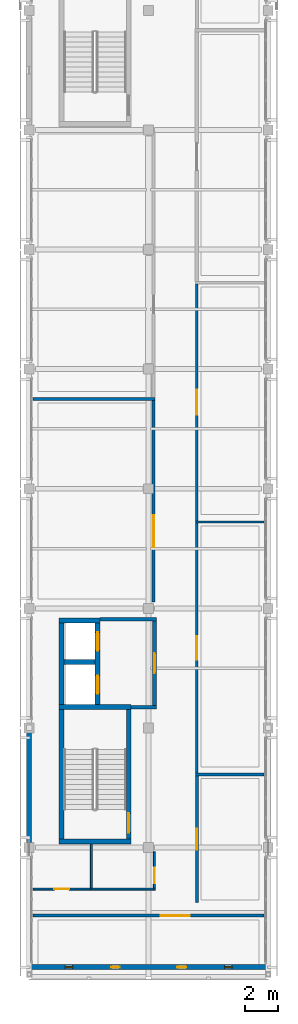
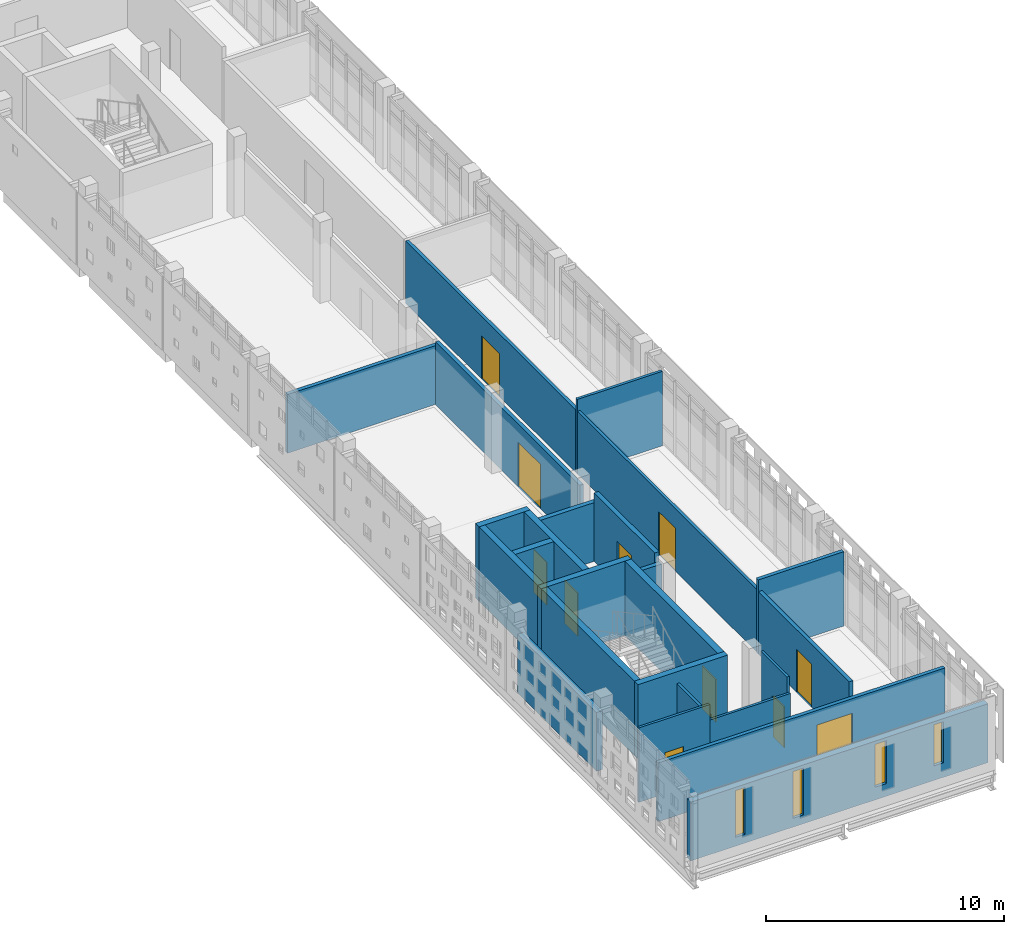
# One storey, part 15 of 21: 25 walls, 11 doors, 4 windows, 15 openings.
"""IFC4 building model written with IfcOpenShell, lengths in metres."""

from ifc_helpers import new_model, si_unit, direction, frame, frame_2d, origin, place, context, subcontext, project, spatial, rectangle, extrude, material, layer, layer_set, type_object, element, fill, save


model = new_model("IFC4")

# Units and contexts
model_context = context("Model", 3, precision=1e-05, world=origin(), true_north=direction((0.0, 1.0)))
body_context = subcontext(model_context, "Body", "Model", "MODEL_VIEW")
ifc_project = project(units=[si_unit("LENGTHUNIT", "METRE"), si_unit("AREAUNIT", "SQUARE_METRE"), si_unit("VOLUMEUNIT", "CUBIC_METRE"), si_unit("PLANEANGLEUNIT", "RADIAN"), si_unit("MASSUNIT", "GRAM", prefix="KILO")], contexts=[model_context])

# Site, building, storey
site_placement = place(None, origin())
site = spatial("IfcSite", under=ifc_project, at=site_placement, CompositionType="ELEMENT")
building_placement = place(site_placement, origin())
building = spatial("IfcBuilding", under=site, at=building_placement, Name="Valkovuoma Quantum and Materials Research Institute", CompositionType="ELEMENT")
storey_placement = place(building_placement, frame((0.0, 0.0, 29.760009765625)))
storey = spatial("IfcBuildingStorey", under=building, at=storey_placement, Name="L07", CompositionType="ELEMENT", Elevation=29.760009765625)

# Walls
ifc_material_1 = material(Name="Concrete C40/50", Category="concrete")
ifc_layer_1 = layer(ifc_material_1, 0.300048828125)
ifc_layer_set_1 = layer_set([ifc_layer_1], Name="Concrete C40/50")
wall_type_1 = type_object("IfcWallType", Name="Wall-W-COR300", PredefinedType="SHEAR", material=ifc_layer_set_1)
for number, where, z_axis, x_axis, name in (
    (1, (1.800048828125, 29.14990234375, 0.0), (0.0, 0.0, 1.0), (1.0, 0.0, 0.0), "L07 core wall 0089"),
    (2, (1.800048828125, 37.25, 0.0), (0.0, 0.0, 1.0), (1.0, 0.0, 0.0), "L07 core wall 0090"),
):
    element("IfcWall", number, at=place(storey_placement, frame(where, z_axis=z_axis, x_axis=x_axis)), inside=storey, type_object=wall_type_1, Name=name, PredefinedType="SHEAR", context=body_context, shape_type="SweptSolid", body=[
        extrude(rectangle(XDim=4.349853515625, YDim=0.300048828125, at=frame_2d((2.1748046875, 0.0))), origin(), (0.0, 0.0, 1.0), 3.81005859375),
    ])
wall_1_placement = place(storey_placement, frame((1.949951171875, 29.300048828125, 0.0), z_axis=(0.0, 0.0, 1.0), x_axis=(0.0, 1.0, 0.0)))
element("IfcWall", 3, at=wall_1_placement, inside=storey, type_object=wall_type_1, Name="L07 core wall 0091", PredefinedType="SHEAR", context=body_context, shape_type="SweptSolid", body=[
    extrude(rectangle(XDim=7.800048828125, YDim=0.300048828125, at=frame_2d((3.89990234375, 0.0))), origin(), (0.0, 0.0, 1.0), 3.81005859375),
])

# Wall, opening, door
wall_2_placement = place(storey_placement, frame((6.0, 29.300048828125, 0.0), z_axis=(0.0, 0.0, 1.0), x_axis=(0.0, 1.0, 0.0)))
wall_2 = element("IfcWall", 4, at=wall_2_placement, inside=storey, type_object=wall_type_1, Name="L07 core wall 0092", PredefinedType="SHEAR", context=body_context, shape_type="SweptSolid", body=[
    extrude(rectangle(XDim=7.800048828125, YDim=0.300048828125, at=frame_2d((3.89990234375, 0.0))), origin(), (0.0, 0.0, 1.0), 3.81005859375),
])
opening_1_placement = place(wall_2_placement, frame((0.39990234375, 0.0, 0.0)))
opening_1 = element("IfcOpeningElement", 5, at=opening_1_placement, cuts=wall_2, Name="Opening SD-017", PredefinedType="OPENING", context=body_context, shape_type="SweptSolid", body=[
    extrude(rectangle(XDim=1.14990234375, YDim=2.199951171875, at=frame_2d((0.574951171875, 1.10009765625))), frame((0.0, 0.16015625, 0.0), z_axis=(0.0, -1.0, 0.0), x_axis=(1.0, 0.0, 0.0)), (0.0, 0.0, 1.0), 0.320068359375),
])
ifc_material_2 = material(Name="Powder-coated steel and acoustic timber door assembly", Category="steel")
door_type_1 = type_object("IfcDoorType", Name="Door-DR-ST60", OperationType="NOTDEFINED", PredefinedType="DOOR", material=ifc_material_2)
door_1_placement = place(opening_1_placement, origin())
door_1 = element("IfcDoor", 6, at=door_1_placement, inside=storey, type_object=door_type_1, Name="L07 ST-1 fire door", OperationType="SINGLE_SWING_RIGHT", OverallHeight=2.199951171875, OverallWidth=1.14990234375, PredefinedType="DOOR", context=body_context, shape_type="SweptSolid", body=[
    extrude(rectangle(XDim=1.14990234375, YDim=2.199951171875, at=frame_2d((0.574951171875, 1.10009765625))), frame((0.0, 0.02490234375, 0.0), z_axis=(0.0, -1.0, 0.0), x_axis=(1.0, 0.0, 0.0)), (0.0, 0.0, 1.0), 0.050048828125),
])
fill(opening_1, door_1)

# Walls
wall_3_placement = place(storey_placement, frame((1.800048828125, 42.47998046875, 0.0), z_axis=(0.0, 0.0, 1.0), x_axis=(1.0, 0.0, 0.0)))
element("IfcWall", 7, at=wall_3_placement, inside=storey, type_object=wall_type_1, Name="L07 core wall 0093", PredefinedType="SHEAR", context=body_context, shape_type="SweptSolid", body=[
    extrude(rectangle(XDim=2.47998046875, YDim=0.300048828125, at=frame_2d((1.239990234375, 0.0))), origin(), (0.0, 0.0, 1.0), 3.81005859375),
])
wall_4_placement = place(storey_placement, frame((2.10009765625, 39.97509765625, 0.0), z_axis=(0.0, 0.0, 1.0), x_axis=(1.0, 0.0, 0.0)))
element("IfcWall", 8, at=wall_4_placement, inside=storey, type_object=wall_type_1, Name="L07 core wall 0094", PredefinedType="SHEAR", context=body_context, shape_type="SweptSolid", body=[
    extrude(rectangle(XDim=1.8798828125, YDim=0.300048828125, at=frame_2d((0.93994140625, 0.0))), origin(), (0.0, 0.0, 1.0), 3.81005859375),
])
wall_5_placement = place(storey_placement, frame((1.949951171875, 37.39990234375, 0.0), z_axis=(0.0, 0.0, 1.0), x_axis=(0.0, 1.0, 0.0)))
element("IfcWall", 9, at=wall_5_placement, inside=storey, type_object=wall_type_1, Name="L07 core wall 0095", PredefinedType="SHEAR", context=body_context, shape_type="SweptSolid", body=[
    extrude(rectangle(XDim=4.93017578125, YDim=0.300048828125, at=frame_2d((2.465087890625, 0.0))), origin(), (0.0, 0.0, 1.0), 3.81005859375),
])

# Wall, openings, doors
wall_6_placement = place(storey_placement, frame((4.1298828125, 37.39990234375, 0.0), z_axis=(0.0, 0.0, 1.0), x_axis=(0.0, 1.0, 0.0)))
wall_6 = element("IfcWall", 10, at=wall_6_placement, inside=storey, type_object=wall_type_1, Name="L07 core wall 0096", PredefinedType="SHEAR", context=body_context, shape_type="SweptSolid", body=[
    extrude(rectangle(XDim=4.93017578125, YDim=0.300048828125, at=frame_2d((2.465087890625, 0.0))), origin(), (0.0, 0.0, 1.0), 3.81005859375),
])
opening_2_placement = place(wall_6_placement, frame((0.64990234375, 0.0, 0.0)))
opening_2 = element("IfcOpeningElement", 11, at=opening_2_placement, cuts=wall_6, Name="Opening LD-017", PredefinedType="OPENING", context=body_context, shape_type="SweptSolid", body=[
    extrude(rectangle(XDim=1.10009765625, YDim=2.199951171875, at=frame_2d((0.550048828125, 1.10009765625))), frame((0.0, 0.16015625, 0.0), z_axis=(0.0, -1.0, 0.0), x_axis=(1.0, 0.0, 0.0)), (0.0, 0.0, 1.0), 0.320068359375),
])
opening_3_placement = place(wall_6_placement, frame((3.25, 0.0, 0.0)))
opening_3 = element("IfcOpeningElement", 12, at=opening_3_placement, cuts=wall_6, Name="Opening LD-018", PredefinedType="OPENING", context=body_context, shape_type="SweptSolid", body=[
    extrude(rectangle(XDim=1.10009765625, YDim=2.199951171875, at=frame_2d((0.550048828125, 1.10009765625))), frame((0.0, 0.16015625, 0.0), z_axis=(0.0, -1.0, 0.0), x_axis=(1.0, 0.0, 0.0)), (0.0, 0.0, 1.0), 0.320068359375),
])
ifc_material_3 = material(Name="Powder-coated steel and acoustic timber door assembly", Category="steel")
door_type_2 = type_object("IfcDoorType", Name="Door-DR-LD01", OperationType="NOTDEFINED", PredefinedType="DOOR", material=ifc_material_3)
door_2_placement = place(opening_2_placement, origin())
door_2 = element("IfcDoor", 13, at=door_2_placement, inside=storey, type_object=door_type_2, Name="L07 LIFT-FF1 sliding landing door", OperationType="SLIDING_TO_LEFT", OverallHeight=2.199951171875, OverallWidth=1.10009765625, PredefinedType="DOOR", context=body_context, shape_type="SweptSolid", body=[
    extrude(rectangle(XDim=1.10009765625, YDim=2.199951171875, at=frame_2d((0.550048828125, 1.10009765625))), frame((0.0, 0.02490234375, 0.0), z_axis=(0.0, -1.0, 0.0), x_axis=(1.0, 0.0, 0.0)), (0.0, 0.0, 1.0), 0.050048828125),
])
fill(opening_2, door_2)
door_3_placement = place(opening_3_placement, origin())
door_3 = element("IfcDoor", 14, at=door_3_placement, inside=storey, type_object=door_type_2, Name="L07 LIFT-P1 sliding landing door", OperationType="SLIDING_TO_LEFT", OverallHeight=2.199951171875, OverallWidth=1.10009765625, PredefinedType="DOOR", context=body_context, shape_type="SweptSolid", body=[
    extrude(rectangle(XDim=1.10009765625, YDim=2.199951171875, at=frame_2d((0.550048828125, 1.10009765625))), frame((0.0, 0.02490234375, 0.0), z_axis=(0.0, -1.0, 0.0), x_axis=(1.0, 0.0, 0.0)), (0.0, 0.0, 1.0), 0.050048828125),
])
fill(opening_3, door_3)

# Wall
ifc_material_4 = material(Name="Precast concrete C40/50", Category="concrete")
ifc_layer_2 = layer(ifc_material_4, 0.300048828125)
ifc_layer_set_2 = layer_set([ifc_layer_2], Name="Precast concrete C40/50")
wall_type_2 = type_object("IfcWallType", Name="Wall-W-EXT300", PredefinedType="SOLIDWALL", material=ifc_layer_set_2)
wall_7_placement = place(storey_placement, frame((0.0, 29.090087890625, 0.0), z_axis=(0.0, 0.0, 1.0), x_axis=(0.0, 1.0, 0.0)))
element("IfcWall", 15, at=wall_7_placement, inside=storey, type_object=wall_type_2, Name="L07 exterior wall 0059", PredefinedType="SOLIDWALL", context=body_context, shape_type="SweptSolid", body=[
    extrude(rectangle(XDim=6.619873046875, YDim=0.300048828125, at=frame_2d((3.31005859375, 0.0))), origin(), (0.0, 0.0, 1.0), 3.010009765625),
])

# Wall, openings, windows
ifc_material_5 = material(Name="Precast concrete C40/50", Category="concrete")
ifc_layer_3 = layer(ifc_material_5, 0.320068359375)
ifc_layer_set_3 = layer_set([ifc_layer_3], Name="Precast concrete C40/50")
wall_type_3 = type_object("IfcWallType", Name="Wall-W-EXT320", PredefinedType="SOLIDWALL", material=ifc_layer_set_3)
wall_8_placement = place(storey_placement, frame((0.0, 21.60009765625, 0.0), z_axis=(0.0, 0.0, 1.0), x_axis=(1.0, 0.0, 0.0)))
wall_8 = element("IfcWall", 16, at=wall_8_placement, inside=storey, type_object=wall_type_3, Name="L07 exterior wall 0057", PredefinedType="SOLIDWALL", context=body_context, shape_type="SweptSolid", body=[
    extrude(rectangle(XDim=14.39990234375, YDim=0.320068359375, at=frame_2d((7.199951171875, 0.0))), origin(), (0.0, 0.0, 1.0), 3.010009765625),
])
opening_4_placement = place(wall_8_placement, frame((2.175048828125, 0.0, 0.449951171875)))
opening_4 = element("IfcOpeningElement", 17, at=opening_4_placement, cuts=wall_8, Name="Opening WN-SL01", PredefinedType="OPENING", context=body_context, shape_type="SweptSolid", body=[
    extrude(rectangle(XDim=0.449951171875, YDim=2.39990234375, at=frame_2d((0.22509765625, 1.199951171875))), frame((0.0, 0.169921875, 0.0), z_axis=(0.0, -1.0, 0.0), x_axis=(1.0, 0.0, 0.0)), (0.0, 0.0, 1.0), 0.340087890625),
])
opening_5_placement = place(wall_8_placement, frame((4.949951171875, 0.0, 0.449951171875)))
opening_5 = element("IfcOpeningElement", 18, at=opening_5_placement, cuts=wall_8, Name="Opening WN-SL02", PredefinedType="OPENING", context=body_context, shape_type="SweptSolid", body=[
    extrude(rectangle(XDim=0.5, YDim=2.39990234375, at=frame_2d((0.25, 1.199951171875))), frame((0.0, 0.169921875, 0.0), z_axis=(0.0, -1.0, 0.0), x_axis=(1.0, 0.0, 0.0)), (0.0, 0.0, 1.0), 0.340087890625),
])
opening_6_placement = place(wall_8_placement, frame((8.925048828125, 0.0, 0.64990234375)))
opening_6 = element("IfcOpeningElement", 19, at=opening_6_placement, cuts=wall_8, Name="Opening WN-SL03", PredefinedType="OPENING", context=body_context, shape_type="SweptSolid", body=[
    extrude(rectangle(XDim=0.550048828125, YDim=2.199951171875, at=frame_2d((0.27490234375, 1.10009765625))), frame((0.0, 0.169921875, 0.0), z_axis=(0.0, -1.0, 0.0), x_axis=(1.0, 0.0, 0.0)), (0.0, 0.0, 1.0), 0.340087890625),
])
opening_7_placement = place(wall_8_placement, frame((11.77490234375, 0.0, 0.75)))
opening_7 = element("IfcOpeningElement", 20, at=opening_7_placement, cuts=wall_8, Name="Opening WN-SL04", PredefinedType="OPENING", context=body_context, shape_type="SweptSolid", body=[
    extrude(rectangle(XDim=0.449951171875, YDim=2.10009765625, at=frame_2d((0.22509765625, 1.050048828125))), frame((0.0, 0.169921875, 0.0), z_axis=(0.0, -1.0, 0.0), x_axis=(1.0, 0.0, 0.0)), (0.0, 0.0, 1.0), 0.340087890625),
])
ifc_material_6 = material(Name="Triple low-E argon glazing in thermally broken aluminium frame", Category="aluminium")
window_type_1 = type_object("IfcWindowType", Name="Win-WN-SL01", PartitioningType="SINGLE_PANEL", PredefinedType="WINDOW", material=ifc_material_6)
window_1_placement = place(opening_4_placement, origin())
window_1 = element("IfcWindow", 21, at=window_1_placement, inside=storey, type_object=window_type_1, Name="L07 window 0051", OverallHeight=2.39990234375, OverallWidth=0.449951171875, PartitioningType="SINGLE_PANEL", PredefinedType="WINDOW", context=body_context, shape_type="SweptSolid", body=[
    extrude(rectangle(XDim=0.449951171875, YDim=2.39990234375, at=frame_2d((0.22509765625, 1.199951171875))), frame((0.0, 0.030029296875, 0.0), z_axis=(0.0, -1.0, 0.0), x_axis=(1.0, 0.0, 0.0)), (0.0, 0.0, 1.0), 0.06005859375),
])
fill(opening_4, window_1)
ifc_material_7 = material(Name="Triple low-E argon glazing in thermally broken aluminium frame", Category="aluminium")
window_type_2 = type_object("IfcWindowType", Name="Win-WN-SL02", PartitioningType="SINGLE_PANEL", PredefinedType="WINDOW", material=ifc_material_7)
window_2_placement = place(opening_5_placement, origin())
window_2 = element("IfcWindow", 22, at=window_2_placement, inside=storey, type_object=window_type_2, Name="L07 window 0052", OverallHeight=2.39990234375, OverallWidth=0.5, PartitioningType="SINGLE_PANEL", PredefinedType="WINDOW", context=body_context, shape_type="SweptSolid", body=[
    extrude(rectangle(XDim=0.5, YDim=2.39990234375, at=frame_2d((0.25, 1.199951171875))), frame((0.0, 0.030029296875, 0.0), z_axis=(0.0, -1.0, 0.0), x_axis=(1.0, 0.0, 0.0)), (0.0, 0.0, 1.0), 0.06005859375),
])
fill(opening_5, window_2)
ifc_material_8 = material(Name="Triple low-E argon glazing in thermally broken aluminium frame", Category="aluminium")
window_type_3 = type_object("IfcWindowType", Name="Win-WN-SL03", PartitioningType="SINGLE_PANEL", PredefinedType="WINDOW", material=ifc_material_8)
window_3_placement = place(opening_6_placement, origin())
window_3 = element("IfcWindow", 23, at=window_3_placement, inside=storey, type_object=window_type_3, Name="L07 window 0053", OverallHeight=2.199951171875, OverallWidth=0.550048828125, PartitioningType="SINGLE_PANEL", PredefinedType="WINDOW", context=body_context, shape_type="SweptSolid", body=[
    extrude(rectangle(XDim=0.550048828125, YDim=2.199951171875, at=frame_2d((0.27490234375, 1.10009765625))), frame((0.0, 0.030029296875, 0.0), z_axis=(0.0, -1.0, 0.0), x_axis=(1.0, 0.0, 0.0)), (0.0, 0.0, 1.0), 0.06005859375),
])
fill(opening_6, window_3)
ifc_material_9 = material(Name="Triple low-E argon glazing in thermally broken aluminium frame", Category="aluminium")
window_type_4 = type_object("IfcWindowType", Name="Win-WN-SL04", PartitioningType="SINGLE_PANEL", PredefinedType="WINDOW", material=ifc_material_9)
window_4_placement = place(opening_7_placement, origin())
window_4 = element("IfcWindow", 24, at=window_4_placement, inside=storey, type_object=window_type_4, Name="L07 window 0054", OverallHeight=2.10009765625, OverallWidth=0.449951171875, PartitioningType="SINGLE_PANEL", PredefinedType="WINDOW", context=body_context, shape_type="SweptSolid", body=[
    extrude(rectangle(XDim=0.449951171875, YDim=2.10009765625, at=frame_2d((0.22509765625, 1.050048828125))), frame((0.0, 0.030029296875, 0.0), z_axis=(0.0, -1.0, 0.0), x_axis=(1.0, 0.0, 0.0)), (0.0, 0.0, 1.0), 0.06005859375),
])
fill(opening_7, window_4)

# Walls
ifc_material_10 = material(Name="Concrete C40/50", Category="concrete")
ifc_layer_4 = layer(ifc_material_10, 0.219970703125)
ifc_layer_set_4 = layer_set([ifc_layer_4], Name="Concrete C40/50")
wall_type_4 = type_object("IfcWallType", Name="Wall-W-FFL220", PredefinedType="SOLIDWALL", material=ifc_layer_set_4)
wall_9_placement = place(storey_placement, frame((6.14990234375, 37.25, 0.0), z_axis=(0.0, 0.0, 1.0), x_axis=(1.0, 0.0, 0.0)))
element("IfcWall", 25, at=wall_9_placement, inside=storey, type_object=wall_type_4, Name="L07 core wall 0097", PredefinedType="SOLIDWALL", context=body_context, shape_type="SweptSolid", body=[
    extrude(rectangle(XDim=1.510009765625, YDim=0.219970703125, at=frame_2d((0.7548828125, 0.0))), origin(), (0.0, 0.0, 1.0), 3.010009765625),
])
wall_10_placement = place(storey_placement, frame((4.280029296875, 42.550048828125, 0.0), z_axis=(0.0, 0.0, 1.0), x_axis=(1.0, 0.0, 0.0)))
element("IfcWall", 26, at=wall_10_placement, inside=storey, type_object=wall_type_4, Name="L07 core wall 0098", PredefinedType="SOLIDWALL", context=body_context, shape_type="SweptSolid", body=[
    extrude(rectangle(XDim=3.3798828125, YDim=0.219970703125, at=frame_2d((1.68994140625, 0.0))), origin(), (0.0, 0.0, 1.0), 3.010009765625),
])

# Wall, opening, door
wall_11_placement = place(storey_placement, frame((7.550048828125, 37.360107421875, 0.0), z_axis=(0.0, 0.0, 1.0), x_axis=(0.0, 1.0, 0.0)))
wall_11 = element("IfcWall", 27, at=wall_11_placement, inside=storey, type_object=wall_type_4, Name="L07 core wall 0099", PredefinedType="SOLIDWALL", context=body_context, shape_type="SweptSolid", body=[
    extrude(rectangle(XDim=5.079833984375, YDim=0.219970703125, at=frame_2d((2.5400390625, 0.0))), origin(), (0.0, 0.0, 1.0), 3.510009765625),
])
opening_8_placement = place(wall_11_placement, frame((1.93994140625, 0.0, 0.0)))
opening_8 = element("IfcOpeningElement", 28, at=opening_8_placement, cuts=wall_11, Name="Opening FD-018", PredefinedType="OPENING", context=body_context, shape_type="SweptSolid", body=[
    extrude(rectangle(XDim=1.199951171875, YDim=2.199951171875, at=frame_2d((0.60009765625, 1.10009765625))), frame((0.0, 0.1201171875, 0.0), z_axis=(0.0, -1.0, 0.0), x_axis=(1.0, 0.0, 0.0)), (0.0, 0.0, 1.0), 0.239990234375),
])
ifc_material_11 = material(Name="Powder-coated steel and acoustic timber door assembly", Category="steel")
door_type_3 = type_object("IfcDoorType", Name="Door-DR-FF60", OperationType="NOTDEFINED", PredefinedType="DOOR", material=ifc_material_11)
door_4_placement = place(opening_8_placement, origin())
door_4 = element("IfcDoor", 29, at=door_4_placement, inside=storey, type_object=door_type_3, Name="L07 firefighting lobby door", OperationType="SINGLE_SWING_RIGHT", OverallHeight=2.199951171875, OverallWidth=1.199951171875, PredefinedType="DOOR", context=body_context, shape_type="SweptSolid", body=[
    extrude(rectangle(XDim=1.199951171875, YDim=2.199951171875, at=frame_2d((0.60009765625, 1.10009765625))), frame((0.0, 0.02490234375, 0.0), z_axis=(0.0, -1.0, 0.0), x_axis=(1.0, 0.0, 0.0)), (0.0, 0.0, 1.0), 0.050048828125),
])
fill(opening_8, door_4)

# Walls
ifc_material_12 = material(Name="Service and WC partition", Category="masonry")
ifc_layer_5 = layer(ifc_material_12, 0.1201171875)
ifc_layer_set_5 = layer_set([ifc_layer_5], Name="Service and WC partition")
wall_type_5 = type_object("IfcWallType", Name="Wall-W-PRT120", PredefinedType="PARTITIONING", material=ifc_layer_set_5)
wall_12_placement = place(storey_placement, frame((3.68994140625, 26.300048828125, 0.0), z_axis=(0.0, 0.0, 1.0), x_axis=(1.0, 0.0, 0.0)))
element("IfcWall", 30, at=wall_12_placement, inside=storey, type_object=wall_type_5, Name="L07 partition 0248", PredefinedType="PARTITIONING", context=body_context, shape_type="SweptSolid", body=[
    extrude(rectangle(XDim=3.920166015625, YDim=0.1201171875, at=frame_2d((1.9599609375, 0.0))), origin(), (0.0, 0.0, 1.0), 3.010009765625),
])
wall_13_placement = place(storey_placement, frame((3.75, 26.360107421875, 0.0), z_axis=(0.0, 0.0, 1.0), x_axis=(0.0, 1.0, 0.0)))
element("IfcWall", 31, at=wall_13_placement, inside=storey, type_object=wall_type_5, Name="L07 partition 0249", PredefinedType="PARTITIONING", context=body_context, shape_type="SweptSolid", body=[
    extrude(rectangle(XDim=2.639892578125, YDim=0.1201171875, at=frame_2d((1.31982421875, 0.0))), origin(), (0.0, 0.0, 1.0), 3.2099609375),
])

# Wall, opening, door
wall_14_placement = place(storey_placement, frame((7.550048828125, 26.360107421875, 0.0), z_axis=(0.0, 0.0, 1.0), x_axis=(0.0, 1.0, 0.0)))
wall_14 = element("IfcWall", 32, at=wall_14_placement, inside=storey, type_object=wall_type_5, Name="L07 partition 0250", PredefinedType="PARTITIONING", context=body_context, shape_type="SweptSolid", body=[
    extrude(rectangle(XDim=2.179931640625, YDim=0.1201171875, at=frame_2d((1.08984375, 0.0))), origin(), (0.0, 0.0, 1.0), 3.81005859375),
])
opening_9_placement = place(wall_14_placement, frame((0.29296875, 0.0, 0.0)))
opening_9 = element("IfcOpeningElement", 33, at=opening_9_placement, cuts=wall_14, Name="Opening ID-0178", PredefinedType="OPENING", context=body_context, shape_type="SweptSolid", body=[
    extrude(rectangle(XDim=0.93994140625, YDim=2.10009765625, at=frame_2d((0.469970703125, 1.050048828125))), frame((0.0, 0.070068359375, 0.0), z_axis=(0.0, -1.0, 0.0), x_axis=(1.0, 0.0, 0.0)), (0.0, 0.0, 1.0), 0.14013671875),
])
ifc_material_13 = material(Name="Powder-coated steel and acoustic timber door assembly", Category="steel")
door_type_4 = type_object("IfcDoorType", Name="Door-DR-WC01", OperationType="NOTDEFINED", PredefinedType="DOOR", material=ifc_material_13)
door_5_placement = place(opening_9_placement, frame((0.93994140625, 0.0, 0.0), z_axis=(0.0, 0.0, 1.0), x_axis=(-1.0, 0.0, 0.0)))
door_5 = element("IfcDoor", 34, at=door_5_placement, inside=storey, type_object=door_type_4, Name="L07 room door 0178", OperationType="SINGLE_SWING_LEFT", OverallHeight=2.10009765625, OverallWidth=0.93994140625, PredefinedType="DOOR", context=body_context, shape_type="SweptSolid", body=[
    extrude(rectangle(XDim=0.93994140625, YDim=2.10009765625, at=frame_2d((0.469970703125, 1.050048828125))), frame((0.0, 0.02490234375, 0.0), z_axis=(0.0, -1.0, 0.0), x_axis=(1.0, 0.0, 0.0)), (0.0, 0.0, 1.0), 0.050048828125),
])
fill(opening_9, door_5)

wall_15_placement = place(storey_placement, frame((0.25, 26.300048828125, 0.0), z_axis=(0.0, 0.0, 1.0), x_axis=(1.0, 0.0, 0.0)))
wall_15 = element("IfcWall", 35, at=wall_15_placement, inside=storey, type_object=wall_type_5, Name="L07 partition 0251", PredefinedType="PARTITIONING", context=body_context, shape_type="SweptSolid", body=[
    extrude(rectangle(XDim=3.43994140625, YDim=0.1201171875, at=frame_2d((1.719970703125, 0.0))), origin(), (0.0, 0.0, 1.0), 3.81005859375),
])
opening_10_placement = place(wall_15_placement, frame((1.27001953125, 0.0, 0.0)))
opening_10 = element("IfcOpeningElement", 36, at=opening_10_placement, cuts=wall_15, Name="Opening ID-0179", PredefinedType="OPENING", context=body_context, shape_type="SweptSolid", body=[
    extrude(rectangle(XDim=0.89990234375, YDim=2.10009765625, at=frame_2d((0.449951171875, 1.050048828125))), frame((0.0, 0.070068359375, 0.0), z_axis=(0.0, -1.0, 0.0), x_axis=(1.0, 0.0, 0.0)), (0.0, 0.0, 1.0), 0.14013671875),
])
ifc_material_14 = material(Name="Powder-coated steel and acoustic timber door assembly", Category="steel")
door_type_5 = type_object("IfcDoorType", Name="Door-DR-WC02", OperationType="NOTDEFINED", PredefinedType="DOOR", material=ifc_material_14)
door_6_placement = place(opening_10_placement, origin())
door_6 = element("IfcDoor", 37, at=door_6_placement, inside=storey, type_object=door_type_5, Name="L07 room door 0179", OperationType="SINGLE_SWING_RIGHT", OverallHeight=2.10009765625, OverallWidth=0.89990234375, PredefinedType="DOOR", context=body_context, shape_type="SweptSolid", body=[
    extrude(rectangle(XDim=0.89990234375, YDim=2.10009765625, at=frame_2d((0.449951171875, 1.050048828125))), frame((0.0, 0.02490234375, 0.0), z_axis=(0.0, -1.0, 0.0), x_axis=(1.0, 0.0, 0.0)), (0.0, 0.0, 1.0), 0.050048828125),
])
fill(opening_10, door_6)

# Wall
ifc_material_15 = material(Name="Interior office stud partition", Category="masonry")
ifc_layer_6 = layer(ifc_material_15, 0.135009765625)
ifc_layer_set_6 = layer_set([ifc_layer_6], Name="Interior office stud partition")
wall_type_6 = type_object("IfcWallType", Name="Wall-W-PRT135", PredefinedType="PARTITIONING", material=ifc_layer_set_6)
wall_16_placement = place(storey_placement, frame((10.032470703125, 48.39990234375, 0.0), z_axis=(0.0, 0.0, 1.0), x_axis=(1.0, 0.0, 0.0)))
element("IfcWall", 38, at=wall_16_placement, inside=storey, type_object=wall_type_6, Name="L07 partition 0258", PredefinedType="PARTITIONING", context=body_context, shape_type="SweptSolid", body=[
    extrude(rectangle(XDim=4.117431640625, YDim=0.135009765625, at=frame_2d((2.05859375, 0.0))), origin(), (0.0, 0.0, 1.0), 3.81005859375),
])

# Wall, opening, door
wall_17_placement = place(storey_placement, frame((10.10009765625, 33.2900390625, 0.0), z_axis=(0.0, 0.0, 1.0), x_axis=(0.0, 1.0, 0.0)))
wall_17 = element("IfcWall", 39, at=wall_17_placement, inside=storey, type_object=wall_type_6, Name="L07 partition 0259", PredefinedType="PARTITIONING", context=body_context, shape_type="SweptSolid", body=[
    extrude(rectangle(XDim=15.04248046875, YDim=0.135009765625, at=frame_2d((7.521240234375, 0.0))), origin(), (0.0, 0.0, 1.0), 3.2099609375),
])
opening_11_placement = place(wall_17_placement, frame((6.8212890625, 0.0, 0.0)))
opening_11 = element("IfcOpeningElement", 40, at=opening_11_placement, cuts=wall_17, Name="Opening ID-0184", PredefinedType="OPENING", context=body_context, shape_type="SweptSolid", body=[
    extrude(rectangle(XDim=1.39990234375, YDim=2.199951171875, at=frame_2d((0.699951171875, 1.10009765625))), frame((0.0, 0.07763671875, 0.0), z_axis=(0.0, -1.0, 0.0), x_axis=(1.0, 0.0, 0.0)), (0.0, 0.0, 1.0), 0.155029296875),
])
ifc_material_16 = material(Name="Powder-coated steel and acoustic timber door assembly", Category="steel")
door_type_6 = type_object("IfcDoorType", Name="Door-DR-LB04", OperationType="NOTDEFINED", PredefinedType="DOOR", material=ifc_material_16)
door_7_placement = place(opening_11_placement, origin())
door_7 = element("IfcDoor", 41, at=door_7_placement, inside=storey, type_object=door_type_6, Name="L07 room door 0184", OperationType="SINGLE_SWING_LEFT", OverallHeight=2.199951171875, OverallWidth=1.39990234375, PredefinedType="DOOR", context=body_context, shape_type="SweptSolid", body=[
    extrude(rectangle(XDim=1.39990234375, YDim=2.199951171875, at=frame_2d((0.699951171875, 1.10009765625))), frame((0.0, 0.02490234375, 0.0), z_axis=(0.0, -1.0, 0.0), x_axis=(1.0, 0.0, 0.0)), (0.0, 0.0, 1.0), 0.050048828125),
])
fill(opening_11, door_7)

ifc_material_17 = material(Name="Acoustic write-up studio partition", Category="masonry")
ifc_layer_7 = layer(ifc_material_17, 0.14990234375)
ifc_layer_set_7 = layer_set([ifc_layer_7], Name="Acoustic write-up studio partition")
wall_type_7 = type_object("IfcWallType", Name="Wall-W-PRT150", PredefinedType="PARTITIONING", material=ifc_layer_set_7)
wall_18_placement = place(storey_placement, frame((10.10009765625, 48.467529296875, 0.0), z_axis=(0.0, 0.0, 1.0), x_axis=(0.0, 1.0, 0.0)))
wall_18 = element("IfcWall", 42, at=wall_18_placement, inside=storey, type_object=wall_type_7, Name="L07 partition 0261", PredefinedType="PARTITIONING", context=body_context, shape_type="SweptSolid", body=[
    extrude(rectangle(XDim=14.257568359375, YDim=0.14990234375, at=frame_2d((7.12890625, 0.0))), origin(), (0.0, 0.0, 1.0), 3.2099609375),
])
opening_12_placement = place(wall_18_placement, frame((6.37890625, 0.0, 0.0)))
opening_12 = element("IfcOpeningElement", 43, at=opening_12_placement, cuts=wall_18, Name="Opening ID-0185", PredefinedType="OPENING", context=body_context, shape_type="SweptSolid", body=[
    extrude(rectangle(XDim=1.5, YDim=2.199951171875, at=frame_2d((0.75, 1.10009765625))), frame((0.0, 0.0849609375, 0.0), z_axis=(0.0, -1.0, 0.0), x_axis=(1.0, 0.0, 0.0)), (0.0, 0.0, 1.0), 0.169921875),
])
ifc_material_18 = material(Name="Powder-coated steel and acoustic timber door assembly", Category="steel")
door_type_7 = type_object("IfcDoorType", Name="Door-DR-LB05", OperationType="NOTDEFINED", PredefinedType="DOOR", material=ifc_material_18)
door_8_placement = place(opening_12_placement, origin())
door_8 = element("IfcDoor", 44, at=door_8_placement, inside=storey, type_object=door_type_7, Name="L07 room door 0185", OperationType="SINGLE_SWING_RIGHT", OverallHeight=2.199951171875, OverallWidth=1.5, PredefinedType="DOOR", context=body_context, shape_type="SweptSolid", body=[
    extrude(rectangle(XDim=1.5, YDim=2.199951171875, at=frame_2d((0.75, 1.10009765625))), frame((0.0, 0.02490234375, 0.0), z_axis=(0.0, -1.0, 0.0), x_axis=(1.0, 0.0, 0.0)), (0.0, 0.0, 1.0), 0.050048828125),
])
fill(opening_12, door_8)

ifc_material_19 = material(Name="Laboratory fire-rated gypsum partition", Category="masonry")
ifc_layer_8 = layer(ifc_material_19, 0.179931640625)
ifc_layer_set_8 = layer_set([ifc_layer_8], Name="Laboratory fire-rated gypsum partition")
wall_type_8 = type_object("IfcWallType", Name="Wall-W-PRT180", PredefinedType="PARTITIONING", material=ifc_layer_set_8)
wall_19_placement = place(storey_placement, frame((0.25, 24.699951171875, 0.0), z_axis=(0.0, 0.0, 1.0), x_axis=(1.0, 0.0, 0.0)))
wall_19 = element("IfcWall", 45, at=wall_19_placement, inside=storey, type_object=wall_type_8, Name="L07 partition 0247", PredefinedType="PARTITIONING", context=body_context, shape_type="SweptSolid", body=[
    extrude(rectangle(XDim=13.89990234375, YDim=0.179931640625, at=frame_2d((6.949951171875, 0.0))), origin(), (0.0, 0.0, 1.0), 3.010009765625),
])
opening_13_placement = place(wall_19_placement, frame((7.68994140625, 0.0, 0.0)))
opening_13 = element("IfcOpeningElement", 46, at=opening_13_placement, cuts=wall_19, Name="Opening ID-0177", PredefinedType="OPENING", context=body_context, shape_type="SweptSolid", body=[
    extrude(rectangle(XDim=1.719970703125, YDim=2.260009765625, at=frame_2d((0.85986328125, 1.1298828125))), frame((0.0, 0.10009765625, 0.0), z_axis=(0.0, -1.0, 0.0), x_axis=(1.0, 0.0, 0.0)), (0.0, 0.0, 1.0), 0.199951171875),
])
ifc_material_20 = material(Name="Powder-coated steel and acoustic timber door assembly", Category="steel")
door_type_8 = type_object("IfcDoorType", Name="Door-DR-RM17", OperationType="NOTDEFINED", PredefinedType="DOOR", material=ifc_material_20)
door_9_placement = place(opening_13_placement, origin())
door_9 = element("IfcDoor", 47, at=door_9_placement, inside=storey, type_object=door_type_8, Name="L07 room door 0177", OperationType="DOUBLE_DOOR_SINGLE_SWING", OverallHeight=2.260009765625, OverallWidth=1.719970703125, PredefinedType="DOOR", context=body_context, shape_type="SweptSolid", body=[
    extrude(rectangle(XDim=1.719970703125, YDim=2.260009765625, at=frame_2d((0.85986328125, 1.1298828125))), frame((0.0, 0.02490234375, 0.0), z_axis=(0.0, -1.0, 0.0), x_axis=(1.0, 0.0, 0.0)), (0.0, 0.0, 1.0), 0.050048828125),
])
fill(opening_13, door_9)

# Wall
wall_20_placement = place(storey_placement, frame((0.25, 55.800048828125, 0.0), z_axis=(0.0, 0.0, 1.0), x_axis=(1.0, 0.0, 0.0)))
element("IfcWall", 48, at=wall_20_placement, inside=storey, type_object=wall_type_8, Name="L07 partition 0252", PredefinedType="PARTITIONING", context=body_context, shape_type="SweptSolid", body=[
    extrude(rectangle(XDim=7.340087890625, YDim=0.179931640625, at=frame_2d((3.669921875, 0.0))), origin(), (0.0, 0.0, 1.0), 3.010009765625),
])

# Wall, opening, door
wall_21_placement = place(storey_placement, frame((7.5, 43.590087890625, 0.0), z_axis=(0.0, 0.0, 1.0), x_axis=(0.0, 1.0, 0.0)))
wall_21 = element("IfcWall", 49, at=wall_21_placement, inside=storey, type_object=wall_type_8, Name="L07 partition 0253", PredefinedType="PARTITIONING", context=body_context, shape_type="SweptSolid", body=[
    extrude(rectangle(XDim=12.119873046875, YDim=0.179931640625, at=frame_2d((6.06005859375, 0.0))), origin(), (0.0, 0.0, 1.0), 3.2099609375),
])
opening_14_placement = place(wall_21_placement, frame((3.281982421875, 0.0, 0.0)))
opening_14 = element("IfcOpeningElement", 50, at=opening_14_placement, cuts=wall_21, Name="Opening ID-0180", PredefinedType="OPENING", context=body_context, shape_type="SweptSolid", body=[
    extrude(rectangle(XDim=1.919921875, YDim=2.280029296875, at=frame_2d((0.9599609375, 1.14013671875))), frame((0.0, 0.10009765625, 0.0), z_axis=(0.0, -1.0, 0.0), x_axis=(1.0, 0.0, 0.0)), (0.0, 0.0, 1.0), 0.199951171875),
])
ifc_material_21 = material(Name="Powder-coated steel and acoustic timber door assembly", Category="steel")
door_type_9 = type_object("IfcDoorType", Name="Door-DR-RM20", OperationType="NOTDEFINED", PredefinedType="DOOR", material=ifc_material_21)
door_10_placement = place(opening_14_placement, origin())
door_10 = element("IfcDoor", 51, at=door_10_placement, inside=storey, type_object=door_type_9, Name="L07 room door 0180", OperationType="DOUBLE_DOOR_SINGLE_SWING", OverallHeight=2.280029296875, OverallWidth=1.919921875, PredefinedType="DOOR", context=body_context, shape_type="SweptSolid", body=[
    extrude(rectangle(XDim=1.919921875, YDim=2.280029296875, at=frame_2d((0.9599609375, 1.14013671875))), frame((0.0, 0.02490234375, 0.0), z_axis=(0.0, -1.0, 0.0), x_axis=(1.0, 0.0, 0.0)), (0.0, 0.0, 1.0), 0.050048828125),
])
fill(opening_14, door_10)

# Wall
wall_22_placement = place(storey_placement, frame((10.010009765625, 33.199951171875, 0.0), z_axis=(0.0, 0.0, 1.0), x_axis=(1.0, 0.0, 0.0)))
element("IfcWall", 52, at=wall_22_placement, inside=storey, type_object=wall_type_8, Name="L07 partition 0256", PredefinedType="PARTITIONING", context=body_context, shape_type="SweptSolid", body=[
    extrude(rectangle(XDim=4.139892578125, YDim=0.179931640625, at=frame_2d((2.06982421875, 0.0))), origin(), (0.0, 0.0, 1.0), 3.81005859375),
])

# Wall, opening, door
wall_23_placement = place(storey_placement, frame((10.10009765625, 25.489990234375, 0.0), z_axis=(0.0, 0.0, 1.0), x_axis=(0.0, 1.0, 0.0)))
wall_23 = element("IfcWall", 53, at=wall_23_placement, inside=storey, type_object=wall_type_8, Name="L07 partition 0257", PredefinedType="PARTITIONING", context=body_context, shape_type="SweptSolid", body=[
    extrude(rectangle(XDim=7.6201171875, YDim=0.179931640625, at=frame_2d((3.81005859375, 0.0))), origin(), (0.0, 0.0, 1.0), 3.2099609375),
])
opening_15_placement = place(wall_23_placement, frame((3.18505859375, 0.0, 0.0)))
opening_15 = element("IfcOpeningElement", 54, at=opening_15_placement, cuts=wall_23, Name="Opening ID-0183", PredefinedType="OPENING", context=body_context, shape_type="SweptSolid", body=[
    extrude(rectangle(XDim=1.25, YDim=2.199951171875, at=frame_2d((0.625, 1.10009765625))), frame((0.0, 0.10009765625, 0.0), z_axis=(0.0, -1.0, 0.0), x_axis=(1.0, 0.0, 0.0)), (0.0, 0.0, 1.0), 0.199951171875),
])
ifc_material_22 = material(Name="Powder-coated steel and acoustic timber door assembly", Category="steel")
door_type_10 = type_object("IfcDoorType", Name="Door-DR-LB03", OperationType="NOTDEFINED", PredefinedType="DOOR", material=ifc_material_22)
door_11_placement = place(opening_15_placement, origin())
door_11 = element("IfcDoor", 55, at=door_11_placement, inside=storey, type_object=door_type_10, Name="L07 room door 0183", OperationType="SINGLE_SWING_RIGHT", OverallHeight=2.199951171875, OverallWidth=1.25, PredefinedType="DOOR", context=body_context, shape_type="SweptSolid", body=[
    extrude(rectangle(XDim=1.25, YDim=2.199951171875, at=frame_2d((0.625, 1.10009765625))), frame((0.0, 0.02490234375, 0.0), z_axis=(0.0, -1.0, 0.0), x_axis=(1.0, 0.0, 0.0)), (0.0, 0.0, 1.0), 0.050048828125),
])
fill(opening_15, door_11)

save(model, "model.ifc")
